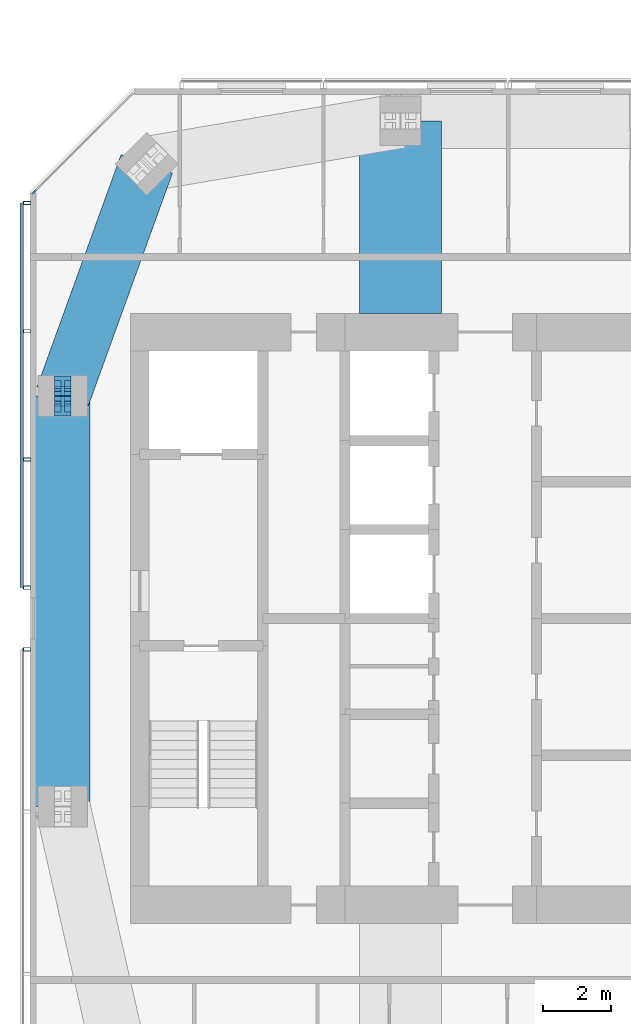
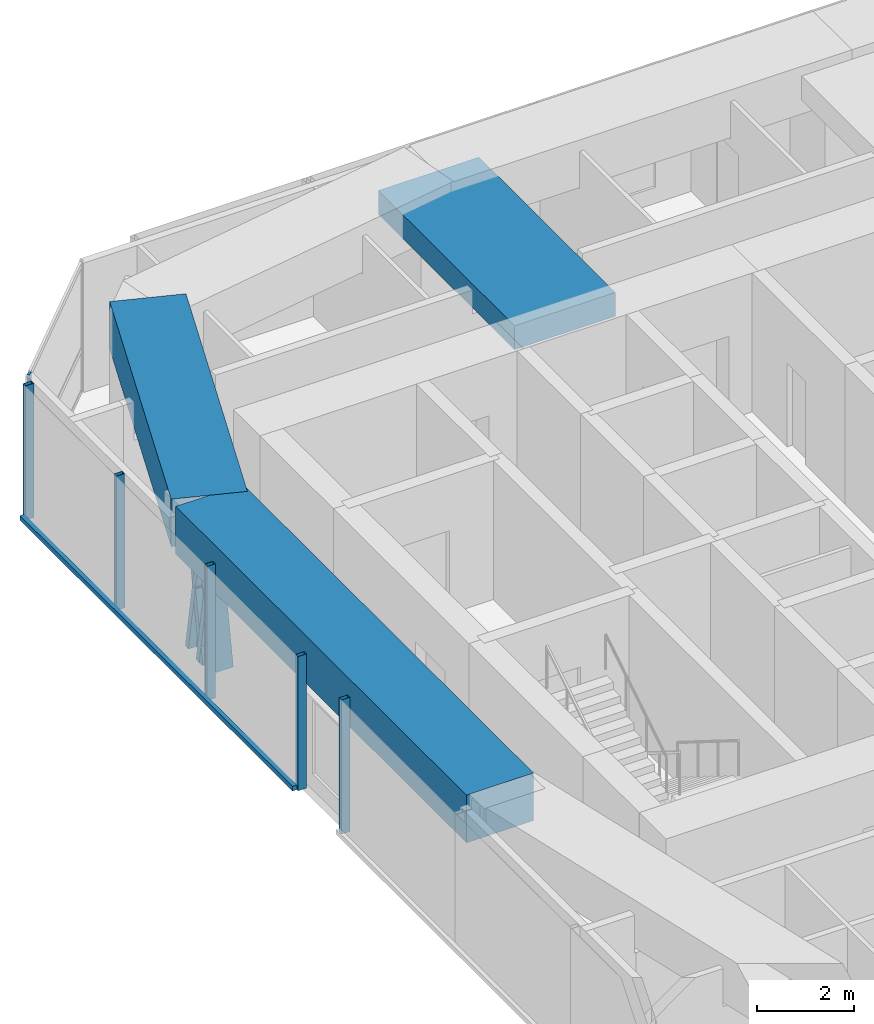
# One storey, part 5 of 18: 11 members, 3 beams, 3 elements without a shape of their own.
"""IFC4 building model written with IfcOpenShell, lengths in metres."""

from ifc_helpers import new_model, si_unit, direction, frame, origin, origin_2d, place, context, subcontext, project, spatial, rectangle, hollow_rectangle, i_section, extrude, material, material_profile, profile_set, type_object, element, aggregate, save


model = new_model("IFC4")

# Units and contexts
model_context = context("Model", 3, precision=1e-05, world=origin(), true_north=direction((0.0, 1.0)))
body_context = subcontext(model_context, "Body", "Model", "MODEL_VIEW")
ifc_project = project(units=[si_unit("LENGTHUNIT", "METRE"), si_unit("AREAUNIT", "SQUARE_METRE"), si_unit("VOLUMEUNIT", "CUBIC_METRE"), si_unit("PLANEANGLEUNIT", "RADIAN"), si_unit("MASSUNIT", "GRAM", prefix="KILO")], contexts=[model_context])

# Site, building, storey
site_placement = place(None, origin())
site = spatial("IfcSite", under=ifc_project, at=site_placement, CompositionType="ELEMENT")
building_placement = place(site_placement, origin())
building = spatial("IfcBuilding", under=site, at=building_placement, Name="Jalousie Tower", CompositionType="ELEMENT")
storey_placement = place(building_placement, frame((0.0, 0.0, 252.949951171875)))
storey = spatial("IfcBuildingStorey", under=building, at=storey_placement, Name="L69", CompositionType="ELEMENT", Elevation=252.949951171875)

# Curtain wall, member
ifc_material_1 = material(Name="Aluminium curtain wall", Category="aluminium")
curtain_wall_type_1 = type_object("IfcCurtainWallType", Name="CORNER WINDOW WALL", PredefinedType="USERDEFINED", material=ifc_material_1)
curtain_wall_1_placement = place(storey_placement, origin())
curtain_wall_1 = element("IfcCurtainWall", 1, at=curtain_wall_1_placement, inside=storey, type_object=curtain_wall_type_1, Name="Corner Window Wall L69 6", ObjectType="CORNER WINDOW WALL", PredefinedType="USERDEFINED")
ifc_material_2 = material(Name="Aluminium mullion", Category="aluminium")
ifc_material_profile_1 = material_profile(ifc_material_2, rectangle(XDim=0.06005859375, YDim=0.14990234375, at=origin_2d()), Name="MULLION 60x150")
ifc_profile_set_1 = profile_set([ifc_material_profile_1], Name="Aluminium mullion")
member_type_1 = type_object("IfcMemberType", Name="CORNER WINDOW WALL MULLION", PredefinedType="MULLION", material=ifc_profile_set_1)
member_1_placement = place(storey_placement, frame((16.90869140625, 30.969970703125, 0.0), z_axis=(0.0, 0.0, 1.0), x_axis=(0.707106781187, -0.707106781187, 0.0)))
member_1 = element("IfcMember", 2, at=member_1_placement, type_object=member_type_1, Name="CW-C mullion 2", PredefinedType="MULLION", context=body_context, shape_type="SweptSolid", body=[
    extrude(rectangle(XDim=0.06005859375, YDim=0.14990234375, at=origin_2d()), origin(), (0.0, 0.0, 1.0), 3.260009765625),
])
aggregate(curtain_wall_1, [member_1])

# Members
ifc_material_3 = material(Name="Steel ASTM A992 Grade 50", Category="steel")
ifc_material_profile_2 = material_profile(ifc_material_3, i_section(OverallWidth=0.472412109375, OverallDepth=0.5791015625, WebThickness=0.094970703125, FlangeThickness=0.1298828125, at=origin_2d()), Name="W14X808")
ifc_profile_set_2 = profile_set([ifc_material_profile_2], Name="Steel ASTM A992 Grade 50")
member_type_2 = type_object("IfcMemberType", Name="PERIMETER BRACE W14X808", PredefinedType="BRACE", material=ifc_profile_set_2)
for number, where, z_axis, x_axis, name in (
    (3, (17.75, 24.699951171875, -0.599853515625), (0.0, 0.168990530437, 0.98561767467), (-1.0, 0.0, 0.0), "Perimeter brace 13 L69 part 1"),
    (4, (17.75, 25.0, 1.150146484375), (0.0, 0.168990530437, 0.98561767467), (-1.0, 0.0, 0.0), "Perimeter brace 13 L69 part 2"),
    (5, (17.75, 25.300048828125, -0.599853515625), (0.0, -0.168990530437, 0.98561767467), (1.0, 0.0, 0.0), "Perimeter brace 13 L69 part 3"),
    (6, (17.75, 25.0, 1.150146484375), (0.0, -0.168990530437, 0.98561767467), (1.0, 0.0, 0.0), "Perimeter brace 13 L69 part 4"),
):
    element("IfcMember", number, at=place(storey_placement, frame(where, z_axis=z_axis, x_axis=x_axis)), inside=storey, type_object=member_type_2, Name=name, PredefinedType="BRACE", context=body_context, shape_type="SweptSolid", body=[
        extrude(i_section(OverallWidth=0.472412109375, OverallDepth=0.5791015625, WebThickness=0.094970703125, FlangeThickness=0.1298828125, at=origin_2d()), origin(), (0.0, 0.0, 1.0), 1.775634765625),
    ])

# Beams
ifc_material_4 = material(Name="Concrete f'c 40 MPa", Category="concrete")
ifc_material_profile_3 = material_profile(ifc_material_4, rectangle(XDim=1.60009765625, YDim=1.199951171875, at=origin_2d()), Name="RC 1600x1200")
ifc_profile_set_3 = profile_set([ifc_material_profile_3], Name="Concrete f'c 40 MPa")
beam_type_1 = type_object("IfcBeamType", Name="RC BEAM 1600x1200", PredefinedType="BEAM", material=ifc_profile_set_3)
beam_1_placement = place(storey_placement, frame((20.20703125, 31.79296875, 2.900146484375), z_axis=(-0.340136081654, -0.940376225751, 0.0), x_axis=(0.940376225751, -0.340136081654, 0.0)))
element("IfcBeam", 7, at=beam_1_placement, inside=storey, type_object=beam_type_1, Name="Edge band beam 12-13 under L70", PredefinedType="BEAM", context=body_context, shape_type="SweptSolid", body=[
    extrude(rectangle(XDim=1.60009765625, YDim=1.199951171875, at=origin_2d()), origin(), (0.0, 0.0, 1.0), 7.2236328125),
])
beam_2_placement = place(storey_placement, frame((17.75, 25.0, 2.900146484375), z_axis=(0.0, -1.0, 0.0), x_axis=(1.0, 0.0, 0.0)))
element("IfcBeam", 8, at=beam_2_placement, inside=storey, type_object=beam_type_1, Name="Edge band beam 13-14 under L70", PredefinedType="BEAM", context=body_context, shape_type="SweptSolid", body=[
    extrude(rectangle(XDim=1.60009765625, YDim=1.199951171875, at=origin_2d()), origin(), (0.0, 0.0, 1.0), 12.0),
])
ifc_material_5 = material(Name="Concrete f'c 40 MPa", Category="concrete")
ifc_material_profile_4 = material_profile(ifc_material_5, rectangle(XDim=2.39990234375, YDim=0.60009765625, at=origin_2d()), Name="RC 2400x600")
ifc_profile_set_4 = profile_set([ifc_material_profile_4], Name="Concrete f'c 40 MPa")
beam_type_2 = type_object("IfcBeamType", Name="RC BEAM 2400x600", PredefinedType="BEAM", material=ifc_profile_set_4)
beam_3_placement = place(storey_placement, frame((27.625, 33.050048828125, 2.9599609375), z_axis=(0.0, -1.0, 0.0), x_axis=(1.0, 0.0, 0.0)))
element("IfcBeam", 9, at=beam_3_placement, inside=storey, type_object=beam_type_2, Name="Floor band beam under L70", PredefinedType="BEAM", context=body_context, shape_type="SweptSolid", body=[
    extrude(rectangle(XDim=2.39990234375, YDim=0.60009765625, at=origin_2d()), origin(), (0.0, 0.0, 1.0), 5.625),
])

# Curtain wall, members
ifc_material_6 = material(Name="Perforated aluminium sheet", Category="aluminium")
curtain_wall_type_2 = type_object("IfcCurtainWallType", Name="SOLAR SCREEN SS-2", PredefinedType="USERDEFINED", material=ifc_material_6)
curtain_wall_2_placement = place(storey_placement, origin())
curtain_wall_2 = element("IfcCurtainWall", 10, at=curtain_wall_2_placement, inside=storey, type_object=curtain_wall_type_2, Name="Solar screen L69", ObjectType="SOLAR SCREEN SS-2", PredefinedType="USERDEFINED")
ifc_material_7 = material(Name="Steel ASTM A500 Grade C", Category="steel")
ifc_material_profile_5 = material_profile(ifc_material_7, hollow_rectangle(XDim=0.1015625, YDim=0.203125, WallThickness=0.0078125, at=origin_2d()), Name="HSS8X4X5/16")
ifc_profile_set_5 = profile_set([ifc_material_profile_5], Name="Steel ASTM A500 Grade C")
member_type_3 = type_object("IfcMemberType", Name="SOLAR SCREEN SS-2 MULLION", PredefinedType="MULLION", material=ifc_profile_set_5)
member_2_placement = place(storey_placement, frame((16.703369140625, 30.648681640625, -0.119873046875), z_axis=(0.0, 0.0, 1.0), x_axis=(0.0, -1.0, 0.0)))
member_2 = element("IfcMember", 11, at=member_2_placement, type_object=member_type_3, Name="SS2 post 1", PredefinedType="MULLION", context=body_context, shape_type="SweptSolid", body=[
    extrude(hollow_rectangle(XDim=0.1015625, YDim=0.203125, WallThickness=0.0078125, at=origin_2d()), origin(), (0.0, 0.0, 1.0), 3.3798828125),
])
member_3_placement = place(storey_placement, frame((16.703369140625, 26.899169921875, -0.119873046875), z_axis=(0.0, 0.0, 1.0), x_axis=(0.0, -1.0, 0.0)))
member_3 = element("IfcMember", 12, at=member_3_placement, type_object=member_type_3, Name="SS2 post 2", PredefinedType="MULLION", context=body_context, shape_type="SweptSolid", body=[
    extrude(hollow_rectangle(XDim=0.1015625, YDim=0.203125, WallThickness=0.0078125, at=origin_2d()), origin(), (0.0, 0.0, 1.0), 3.3798828125),
])
member_4_placement = place(storey_placement, frame((16.703369140625, 23.149658203125, -0.119873046875), z_axis=(0.0, 0.0, 1.0), x_axis=(0.0, -1.0, 0.0)))
member_4 = element("IfcMember", 13, at=member_4_placement, type_object=member_type_3, Name="SS2 post 3", PredefinedType="MULLION", context=body_context, shape_type="SweptSolid", body=[
    extrude(hollow_rectangle(XDim=0.1015625, YDim=0.203125, WallThickness=0.0078125, at=origin_2d()), origin(), (0.0, 0.0, 1.0), 3.3798828125),
])
member_5_placement = place(storey_placement, frame((16.703369140625, 19.39990234375, -0.119873046875), z_axis=(0.0, 0.0, 1.0), x_axis=(0.0, -1.0, 0.0)))
member_5 = element("IfcMember", 14, at=member_5_placement, type_object=member_type_3, Name="SS2 post 4", PredefinedType="MULLION", context=body_context, shape_type="SweptSolid", body=[
    extrude(hollow_rectangle(XDim=0.1015625, YDim=0.203125, WallThickness=0.0078125, at=origin_2d()), origin(), (0.0, 0.0, 1.0), 3.3798828125),
])

# Curtain wall, member
curtain_wall_3_placement = place(storey_placement, origin())
curtain_wall_3 = element("IfcCurtainWall", 15, at=curtain_wall_3_placement, inside=storey, type_object=curtain_wall_type_2, Name="Solar screen L69", ObjectType="SOLAR SCREEN SS-2", PredefinedType="USERDEFINED")
member_6_placement = place(storey_placement, frame((16.703369140625, 17.60009765625, -0.119873046875), z_axis=(0.0, 0.0, 1.0), x_axis=(0.0, -1.0, 0.0)))
member_6 = element("IfcMember", 16, at=member_6_placement, type_object=member_type_3, Name="SS2 post 1", PredefinedType="MULLION", context=body_context, shape_type="SweptSolid", body=[
    extrude(hollow_rectangle(XDim=0.1015625, YDim=0.203125, WallThickness=0.0078125, at=origin_2d()), origin(), (0.0, 0.0, 1.0), 3.3798828125),
])
aggregate(curtain_wall_3, [member_6])

# Member
ifc_material_8 = material(Name="Extruded aluminium screen rail", Category="aluminium")
ifc_material_profile_6 = material_profile(ifc_material_8, rectangle(XDim=0.1015625, YDim=0.1201171875, at=origin_2d()), Name="RAIL 102x120")
ifc_profile_set_6 = profile_set([ifc_material_profile_6], Name="Extruded aluminium screen rail")
member_type_4 = type_object("IfcMemberType", Name="SOLAR SCREEN SS-2 TRANSOM", PredefinedType="USERDEFINED", material=ifc_profile_set_6)
member_7_placement = place(storey_placement, frame((16.551025390625, 30.648681640625, -0.06005859375), z_axis=(0.0, -1.0, 0.0), x_axis=(1.0, 0.0, 0.0)))
member_7 = element("IfcMember", 17, at=member_7_placement, type_object=member_type_4, Name="SS2 rail", ObjectType="TRANSOM", PredefinedType="USERDEFINED", context=body_context, shape_type="SweptSolid", body=[
    extrude(rectangle(XDim=0.1015625, YDim=0.1201171875, at=origin_2d()), origin(), (0.0, 0.0, 1.0), 11.248779296875),
])

aggregate(curtain_wall_2, [member_2, member_3, member_4, member_5, member_7])

save(model, "model.ifc")
